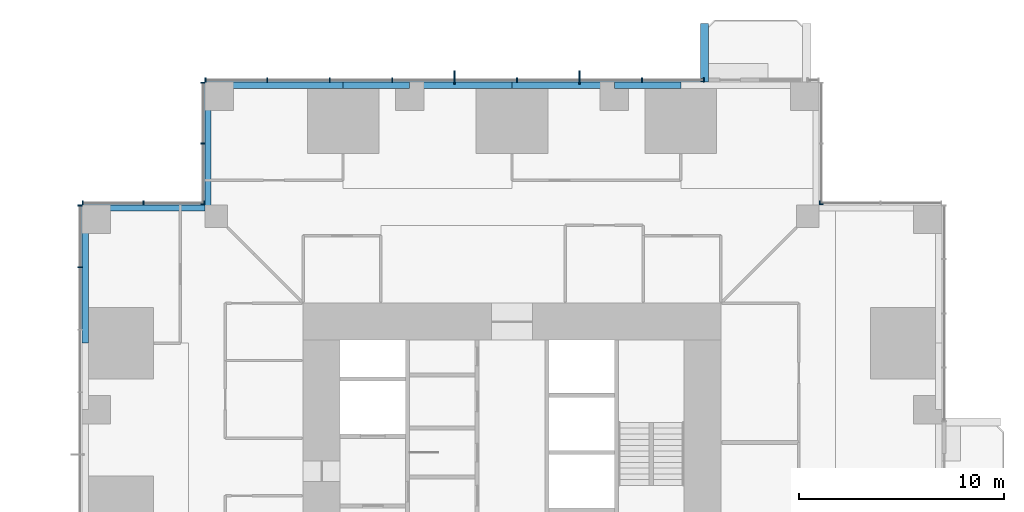
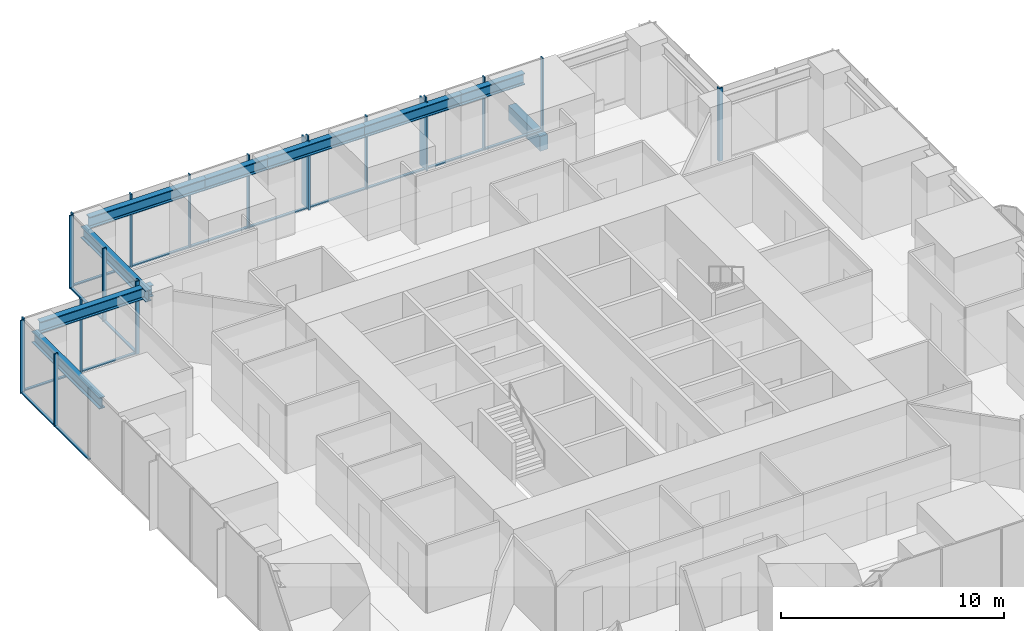
# One storey, part 5 of 17: 35 members, 9 beams, 6 elements without a shape of their own.
"""IFC4 building model written with IfcOpenShell, lengths in metres."""

from ifc_helpers import new_model, si_unit, direction, frame, origin, origin_2d, place, context, subcontext, project, spatial, rectangle, i_section, extrude, material, material_profile, profile_set, type_object, element, aggregate, save


model = new_model("IFC4")

# Units and contexts
model_context = context("Model", 3, precision=1e-05, world=origin(), true_north=direction((0.0, 1.0)))
body_context = subcontext(model_context, "Body", "Model", "MODEL_VIEW")
ifc_project = project(units=[si_unit("LENGTHUNIT", "METRE"), si_unit("AREAUNIT", "SQUARE_METRE"), si_unit("VOLUMEUNIT", "CUBIC_METRE"), si_unit("PLANEANGLEUNIT", "RADIAN"), si_unit("MASSUNIT", "GRAM", prefix="KILO")], contexts=[model_context])

# Site, building, storey
site_placement = place(None, origin())
site = spatial("IfcSite", under=ifc_project, at=site_placement, CompositionType="ELEMENT")
building_placement = place(site_placement, origin())
building = spatial("IfcBuilding", under=site, at=building_placement, Name="Svetlomir Tower", CompositionType="ELEMENT")
storey_placement = place(building_placement, frame((0.0, 0.0, 70.5)))
storey = spatial("IfcBuildingStorey", under=building, at=storey_placement, Name="L16", CompositionType="ELEMENT", Elevation=70.5)

# Beam
ifc_material_1 = material(Name="Concrete C60/75", Category="concrete")
ifc_material_profile_1 = material_profile(ifc_material_1, rectangle(XDim=0.39990234375, YDim=0.800048828125, at=origin_2d()), Name="RC 400x800")
ifc_profile_set_1 = profile_set([ifc_material_profile_1], Name="Concrete C60/75")
beam_type_1 = type_object("IfcBeamType", Name="BALCONY RIB RC 400x800", PredefinedType="BEAM", material=ifc_profile_set_1)
beam_1_placement = place(storey_placement, frame((30.39990234375, 42.0, -0.64990234375), z_axis=(0.0, 1.0, 0.0), x_axis=(-1.0, 0.0, 0.0)))
element("IfcBeam", 1, at=beam_1_placement, inside=storey, type_object=beam_type_1, Name="Balcony rib N 1 L16", PredefinedType="BEAM", context=body_context, shape_type="SweptSolid", body=[
    extrude(rectangle(XDim=0.39990234375, YDim=0.800048828125, at=origin_2d()), origin(), (0.0, 0.0, 1.0), 2.85009765625),
])

# Curtain wall, members
ifc_material_2 = material(Name="Bronze anodised aluminium curtain wall", Category="aluminium")
curtain_wall_type = type_object("IfcCurtainWallType", Name="CURTAIN WALL CW1 TOWER OFFICE", PredefinedType="NOTDEFINED", material=ifc_material_2)
curtain_wall_1_placement = place(storey_placement, origin())
curtain_wall_1 = element("IfcCurtainWall", 2, at=curtain_wall_1_placement, inside=storey, type_object=curtain_wall_type, Name="Curtain wall CW1 L16", PredefinedType="NOTDEFINED")
ifc_material_3 = material(Name="Bronze anodised aluminium", Category="aluminium")
ifc_material_profile_2 = material_profile(ifc_material_3, rectangle(XDim=0.080078125, YDim=0.64990234375, at=origin_2d()), Name="FIN 80x650")
ifc_profile_set_2 = profile_set([ifc_material_profile_2], Name="Bronze anodised aluminium 6063-T6")
member_type_1 = type_object("IfcMemberType", Name="BRONZE FIN 80x650", PredefinedType="USERDEFINED", material=ifc_profile_set_2)
member_1_placement = place(storey_placement, frame((24.300048828125, 42.22509765625, 0.0), z_axis=(0.0, 0.0, 1.0), x_axis=(1.0, 0.0, 0.0)))
member_1 = element("IfcMember", 3, at=member_1_placement, type_object=member_type_1, Name="Bronze fin L16", ObjectType="FIN", PredefinedType="USERDEFINED", context=body_context, shape_type="SweptSolid", body=[
    extrude(rectangle(XDim=0.080078125, YDim=0.64990234375, at=origin_2d()), origin(), (0.0, 0.0, 1.0), 3.75),
])
member_2_placement = place(storey_placement, frame((18.199951171875, 42.22509765625, 0.0), z_axis=(0.0, 0.0, 1.0), x_axis=(1.0, 0.0, 0.0)))
member_2 = element("IfcMember", 4, at=member_2_placement, type_object=member_type_1, Name="Bronze fin L16", ObjectType="FIN", PredefinedType="USERDEFINED", context=body_context, shape_type="SweptSolid", body=[
    extrude(rectangle(XDim=0.080078125, YDim=0.64990234375, at=origin_2d()), origin(), (0.0, 0.0, 1.0), 3.75),
])

# Curtain wall, member
curtain_wall_2_placement = place(storey_placement, origin())
curtain_wall_2 = element("IfcCurtainWall", 5, at=curtain_wall_2_placement, inside=storey, type_object=curtain_wall_type, Name="Curtain wall CW1 L16", PredefinedType="NOTDEFINED")
ifc_material_4 = material(Name="Bronze anodised aluminium", Category="aluminium")
ifc_material_profile_3 = material_profile(ifc_material_4, rectangle(XDim=0.06494140625, YDim=0.199951171875, at=origin_2d()), Name="AL 65x200")
ifc_profile_set_3 = profile_set([ifc_material_profile_3], Name="Bronze anodised aluminium 6063-T6")
member_type_2 = type_object("IfcMemberType", Name="CW1 MULLION 65x200", PredefinedType="MULLION", material=ifc_profile_set_3)
member_3_placement = place(storey_placement, frame((36.032470703125, 36.10009765625, 0.0), z_axis=(0.0, 0.0, 1.0), x_axis=(-1.0, 0.0, 0.0)))
member_3 = element("IfcMember", 6, at=member_3_placement, type_object=member_type_2, Name="CW1 mullion 3", PredefinedType="MULLION", context=body_context, shape_type="SweptSolid", body=[
    extrude(rectangle(XDim=0.06494140625, YDim=0.199951171875, at=origin_2d()), origin(), (0.0, 0.0, 1.0), 4.0),
])
aggregate(curtain_wall_2, [member_3])

curtain_wall_3_placement = place(storey_placement, origin())
curtain_wall_3 = element("IfcCurtainWall", 7, at=curtain_wall_3_placement, inside=storey, type_object=curtain_wall_type, Name="Curtain wall CW1 L16", PredefinedType="NOTDEFINED")
member_4_placement = place(storey_placement, frame((36.10009765625, 36.032470703125, 0.0), z_axis=(0.0, 0.0, 1.0), x_axis=(0.0, 1.0, 0.0)))
member_4 = element("IfcMember", 8, at=member_4_placement, type_object=member_type_2, Name="CW1 mullion 1", PredefinedType="MULLION", context=body_context, shape_type="SweptSolid", body=[
    extrude(rectangle(XDim=0.06494140625, YDim=0.199951171875, at=origin_2d()), origin(), (0.0, 0.0, 1.0), 4.0),
])
aggregate(curtain_wall_3, [member_4])

# Member
member_5_placement = place(storey_placement, frame((30.367431640625, 42.10009765625, 0.0), z_axis=(0.0, 0.0, 1.0), x_axis=(-1.0, 0.0, 0.0)))
member_5 = element("IfcMember", 9, at=member_5_placement, type_object=member_type_2, Name="CW1 mullion 1", PredefinedType="MULLION", context=body_context, shape_type="SweptSolid", body=[
    extrude(rectangle(XDim=0.06494140625, YDim=0.199951171875, at=origin_2d()), origin(), (0.0, 0.0, 1.0), 4.0),
])

member_6_placement = place(storey_placement, frame((27.35009765625, 42.10009765625, 0.0), z_axis=(0.0, 0.0, 1.0), x_axis=(-1.0, 0.0, 0.0)))
member_6 = element("IfcMember", 10, at=member_6_placement, type_object=member_type_2, Name="CW1 mullion 2", PredefinedType="MULLION", context=body_context, shape_type="SweptSolid", body=[
    extrude(rectangle(XDim=0.06494140625, YDim=0.199951171875, at=origin_2d()), origin(), (0.0, 0.0, 1.0), 4.0),
])

member_7_placement = place(storey_placement, frame((24.300048828125, 42.10009765625, 0.0), z_axis=(0.0, 0.0, 1.0), x_axis=(-1.0, 0.0, 0.0)))
member_7 = element("IfcMember", 11, at=member_7_placement, type_object=member_type_2, Name="CW1 mullion 3", PredefinedType="MULLION", context=body_context, shape_type="SweptSolid", body=[
    extrude(rectangle(XDim=0.06494140625, YDim=0.199951171875, at=origin_2d()), origin(), (0.0, 0.0, 1.0), 4.0),
])

member_8_placement = place(storey_placement, frame((21.25, 42.10009765625, 0.0), z_axis=(0.0, 0.0, 1.0), x_axis=(-1.0, 0.0, 0.0)))
member_8 = element("IfcMember", 12, at=member_8_placement, type_object=member_type_2, Name="CW1 mullion 4", PredefinedType="MULLION", context=body_context, shape_type="SweptSolid", body=[
    extrude(rectangle(XDim=0.06494140625, YDim=0.199951171875, at=origin_2d()), origin(), (0.0, 0.0, 1.0), 4.0),
])

member_9_placement = place(storey_placement, frame((18.199951171875, 42.10009765625, 0.0), z_axis=(0.0, 0.0, 1.0), x_axis=(-1.0, 0.0, 0.0)))
member_9 = element("IfcMember", 13, at=member_9_placement, type_object=member_type_2, Name="CW1 mullion 5", PredefinedType="MULLION", context=body_context, shape_type="SweptSolid", body=[
    extrude(rectangle(XDim=0.06494140625, YDim=0.199951171875, at=origin_2d()), origin(), (0.0, 0.0, 1.0), 4.0),
])

member_10_placement = place(storey_placement, frame((15.14990234375, 42.10009765625, 0.0), z_axis=(0.0, 0.0, 1.0), x_axis=(-1.0, 0.0, 0.0)))
member_10 = element("IfcMember", 14, at=member_10_placement, type_object=member_type_2, Name="CW1 mullion 6", PredefinedType="MULLION", context=body_context, shape_type="SweptSolid", body=[
    extrude(rectangle(XDim=0.06494140625, YDim=0.199951171875, at=origin_2d()), origin(), (0.0, 0.0, 1.0), 4.0),
])

member_11_placement = place(storey_placement, frame((12.10009765625, 42.10009765625, 0.0), z_axis=(0.0, 0.0, 1.0), x_axis=(-1.0, 0.0, 0.0)))
member_11 = element("IfcMember", 15, at=member_11_placement, type_object=member_type_2, Name="CW1 mullion 7", PredefinedType="MULLION", context=body_context, shape_type="SweptSolid", body=[
    extrude(rectangle(XDim=0.06494140625, YDim=0.199951171875, at=origin_2d()), origin(), (0.0, 0.0, 1.0), 4.0),
])

member_12_placement = place(storey_placement, frame((9.050048828125, 42.10009765625, 0.0), z_axis=(0.0, 0.0, 1.0), x_axis=(-1.0, 0.0, 0.0)))
member_12 = element("IfcMember", 16, at=member_12_placement, type_object=member_type_2, Name="CW1 mullion 8", PredefinedType="MULLION", context=body_context, shape_type="SweptSolid", body=[
    extrude(rectangle(XDim=0.06494140625, YDim=0.199951171875, at=origin_2d()), origin(), (0.0, 0.0, 1.0), 4.0),
])

member_13_placement = place(storey_placement, frame((6.032470703125, 42.10009765625, 0.0), z_axis=(0.0, 0.0, 1.0), x_axis=(-1.0, 0.0, 0.0)))
member_13 = element("IfcMember", 17, at=member_13_placement, type_object=member_type_2, Name="CW1 mullion 9", PredefinedType="MULLION", context=body_context, shape_type="SweptSolid", body=[
    extrude(rectangle(XDim=0.06494140625, YDim=0.199951171875, at=origin_2d()), origin(), (0.0, 0.0, 1.0), 4.0),
])

# Curtain wall, members
curtain_wall_4_placement = place(storey_placement, origin())
curtain_wall_4 = element("IfcCurtainWall", 18, at=curtain_wall_4_placement, inside=storey, type_object=curtain_wall_type, Name="Curtain wall CW1 L16", PredefinedType="NOTDEFINED")
member_14_placement = place(storey_placement, frame((5.89990234375, 41.967529296875, 0.0), z_axis=(0.0, 0.0, 1.0), x_axis=(0.0, -1.0, 0.0)))
member_14 = element("IfcMember", 19, at=member_14_placement, type_object=member_type_2, Name="CW1 mullion 1", PredefinedType="MULLION", context=body_context, shape_type="SweptSolid", body=[
    extrude(rectangle(XDim=0.06494140625, YDim=0.199951171875, at=origin_2d()), origin(), (0.0, 0.0, 1.0), 4.0),
])
member_15_placement = place(storey_placement, frame((5.89990234375, 39.0, 0.0), z_axis=(0.0, 0.0, 1.0), x_axis=(0.0, -1.0, 0.0)))
member_15 = element("IfcMember", 20, at=member_15_placement, type_object=member_type_2, Name="CW1 mullion 2", PredefinedType="MULLION", context=body_context, shape_type="SweptSolid", body=[
    extrude(rectangle(XDim=0.06494140625, YDim=0.199951171875, at=origin_2d()), origin(), (0.0, 0.0, 1.0), 4.0),
])
member_16_placement = place(storey_placement, frame((5.89990234375, 36.032470703125, 0.0), z_axis=(0.0, 0.0, 1.0), x_axis=(0.0, -1.0, 0.0)))
member_16 = element("IfcMember", 21, at=member_16_placement, type_object=member_type_2, Name="CW1 mullion 3", PredefinedType="MULLION", context=body_context, shape_type="SweptSolid", body=[
    extrude(rectangle(XDim=0.06494140625, YDim=0.199951171875, at=origin_2d()), origin(), (0.0, 0.0, 1.0), 4.0),
])

curtain_wall_5_placement = place(storey_placement, origin())
curtain_wall_5 = element("IfcCurtainWall", 22, at=curtain_wall_5_placement, inside=storey, type_object=curtain_wall_type, Name="Curtain wall CW1 L16", PredefinedType="NOTDEFINED")
member_17_placement = place(storey_placement, frame((5.967529296875, 36.10009765625, 0.0), z_axis=(0.0, 0.0, 1.0), x_axis=(-1.0, 0.0, 0.0)))
member_17 = element("IfcMember", 23, at=member_17_placement, type_object=member_type_2, Name="CW1 mullion 1", PredefinedType="MULLION", context=body_context, shape_type="SweptSolid", body=[
    extrude(rectangle(XDim=0.06494140625, YDim=0.199951171875, at=origin_2d()), origin(), (0.0, 0.0, 1.0), 4.0),
])
member_18_placement = place(storey_placement, frame((3.0, 36.10009765625, 0.0), z_axis=(0.0, 0.0, 1.0), x_axis=(-1.0, 0.0, 0.0)))
member_18 = element("IfcMember", 24, at=member_18_placement, type_object=member_type_2, Name="CW1 mullion 2", PredefinedType="MULLION", context=body_context, shape_type="SweptSolid", body=[
    extrude(rectangle(XDim=0.06494140625, YDim=0.199951171875, at=origin_2d()), origin(), (0.0, 0.0, 1.0), 4.0),
])
member_19_placement = place(storey_placement, frame((0.032470703125, 36.10009765625, 0.0), z_axis=(0.0, 0.0, 1.0), x_axis=(-1.0, 0.0, 0.0)))
member_19 = element("IfcMember", 25, at=member_19_placement, type_object=member_type_2, Name="CW1 mullion 3", PredefinedType="MULLION", context=body_context, shape_type="SweptSolid", body=[
    extrude(rectangle(XDim=0.06494140625, YDim=0.199951171875, at=origin_2d()), origin(), (0.0, 0.0, 1.0), 4.0),
])

curtain_wall_6_placement = place(storey_placement, origin())
curtain_wall_6 = element("IfcCurtainWall", 26, at=curtain_wall_6_placement, inside=storey, type_object=curtain_wall_type, Name="Curtain wall CW1 L16", PredefinedType="NOTDEFINED")
member_20_placement = place(storey_placement, frame((-0.10009765625, 35.967529296875, 0.0), z_axis=(0.0, 0.0, 1.0), x_axis=(0.0, -1.0, 0.0)))
member_20 = element("IfcMember", 27, at=member_20_placement, type_object=member_type_2, Name="CW1 mullion 1", PredefinedType="MULLION", context=body_context, shape_type="SweptSolid", body=[
    extrude(rectangle(XDim=0.06494140625, YDim=0.199951171875, at=origin_2d()), origin(), (0.0, 0.0, 1.0), 4.0),
])
member_21_placement = place(storey_placement, frame((-0.10009765625, 32.949951171875, 0.0), z_axis=(0.0, 0.0, 1.0), x_axis=(0.0, -1.0, 0.0)))
member_21 = element("IfcMember", 28, at=member_21_placement, type_object=member_type_2, Name="CW1 mullion 2", PredefinedType="MULLION", context=body_context, shape_type="SweptSolid", body=[
    extrude(rectangle(XDim=0.06494140625, YDim=0.199951171875, at=origin_2d()), origin(), (0.0, 0.0, 1.0), 4.0),
])

# Member
ifc_material_5 = material(Name="Bronze anodised aluminium", Category="aluminium")
ifc_material_profile_4 = material_profile(ifc_material_5, rectangle(XDim=0.139892578125, YDim=0.06494140625, at=origin_2d()), Name="AL 140x65")
ifc_profile_set_4 = profile_set([ifc_material_profile_4], Name="Bronze anodised aluminium 6063-T6")
member_type_3 = type_object("IfcMemberType", Name="CW1 TRANSOM 65x140", PredefinedType="USERDEFINED", material=ifc_profile_set_4)
member_22_placement = place(storey_placement, frame((30.3349609375, 42.10009765625, 0.032470703125), z_axis=(-1.0, 0.0, 0.0), x_axis=(0.0, -1.0, 0.0)))
member_22 = element("IfcMember", 29, at=member_22_placement, type_object=member_type_3, Name="CW1 transom 1.1", ObjectType="TRANSOM", PredefinedType="USERDEFINED", context=body_context, shape_type="SweptSolid", body=[
    extrude(rectangle(XDim=0.139892578125, YDim=0.06494140625, at=origin_2d()), origin(), (0.0, 0.0, 1.0), 2.952392578125),
])

member_23_placement = place(storey_placement, frame((27.3173828125, 42.10009765625, 0.032470703125), z_axis=(-1.0, 0.0, 0.0), x_axis=(0.0, -1.0, 0.0)))
member_23 = element("IfcMember", 30, at=member_23_placement, type_object=member_type_3, Name="CW1 transom 2.1", ObjectType="TRANSOM", PredefinedType="USERDEFINED", context=body_context, shape_type="SweptSolid", body=[
    extrude(rectangle(XDim=0.139892578125, YDim=0.06494140625, at=origin_2d()), origin(), (0.0, 0.0, 1.0), 2.98486328125),
])

member_24_placement = place(storey_placement, frame((24.267578125, 42.10009765625, 0.032470703125), z_axis=(-1.0, 0.0, 0.0), x_axis=(0.0, -1.0, 0.0)))
member_24 = element("IfcMember", 31, at=member_24_placement, type_object=member_type_3, Name="CW1 transom 3.1", ObjectType="TRANSOM", PredefinedType="USERDEFINED", context=body_context, shape_type="SweptSolid", body=[
    extrude(rectangle(XDim=0.139892578125, YDim=0.06494140625, at=origin_2d()), origin(), (0.0, 0.0, 1.0), 2.985107421875),
])

member_25_placement = place(storey_placement, frame((21.217529296875, 42.10009765625, 0.032470703125), z_axis=(-1.0, 0.0, 0.0), x_axis=(0.0, -1.0, 0.0)))
member_25 = element("IfcMember", 32, at=member_25_placement, type_object=member_type_3, Name="CW1 transom 4.1", ObjectType="TRANSOM", PredefinedType="USERDEFINED", context=body_context, shape_type="SweptSolid", body=[
    extrude(rectangle(XDim=0.139892578125, YDim=0.06494140625, at=origin_2d()), origin(), (0.0, 0.0, 1.0), 2.985107421875),
])

member_26_placement = place(storey_placement, frame((18.16748046875, 42.10009765625, 0.032470703125), z_axis=(-1.0, 0.0, 0.0), x_axis=(0.0, -1.0, 0.0)))
member_26 = element("IfcMember", 33, at=member_26_placement, type_object=member_type_3, Name="CW1 transom 5.1", ObjectType="TRANSOM", PredefinedType="USERDEFINED", context=body_context, shape_type="SweptSolid", body=[
    extrude(rectangle(XDim=0.139892578125, YDim=0.06494140625, at=origin_2d()), origin(), (0.0, 0.0, 1.0), 2.98486328125),
])

member_27_placement = place(storey_placement, frame((15.117431640625, 42.10009765625, 0.032470703125), z_axis=(-1.0, 0.0, 0.0), x_axis=(0.0, -1.0, 0.0)))
member_27 = element("IfcMember", 34, at=member_27_placement, type_object=member_type_3, Name="CW1 transom 6.1", ObjectType="TRANSOM", PredefinedType="USERDEFINED", context=body_context, shape_type="SweptSolid", body=[
    extrude(rectangle(XDim=0.139892578125, YDim=0.06494140625, at=origin_2d()), origin(), (0.0, 0.0, 1.0), 2.98486328125),
])

member_28_placement = place(storey_placement, frame((12.0673828125, 42.10009765625, 0.032470703125), z_axis=(-1.0, 0.0, 0.0), x_axis=(0.0, -1.0, 0.0)))
member_28 = element("IfcMember", 35, at=member_28_placement, type_object=member_type_3, Name="CW1 transom 7.1", ObjectType="TRANSOM", PredefinedType="USERDEFINED", context=body_context, shape_type="SweptSolid", body=[
    extrude(rectangle(XDim=0.139892578125, YDim=0.06494140625, at=origin_2d()), origin(), (0.0, 0.0, 1.0), 2.98486328125),
])

member_29_placement = place(storey_placement, frame((9.017578125, 42.10009765625, 0.032470703125), z_axis=(-1.0, 0.0, 0.0), x_axis=(0.0, -1.0, 0.0)))
member_29 = element("IfcMember", 36, at=member_29_placement, type_object=member_type_3, Name="CW1 transom 8.1", ObjectType="TRANSOM", PredefinedType="USERDEFINED", context=body_context, shape_type="SweptSolid", body=[
    extrude(rectangle(XDim=0.139892578125, YDim=0.06494140625, at=origin_2d()), origin(), (0.0, 0.0, 1.0), 2.95263671875),
])

aggregate(curtain_wall_1, [member_5, member_6, member_7, member_8, member_9, member_10, member_11, member_12, member_13, member_22, member_23, member_24, member_25, member_26, member_27, member_28, member_29, member_1, member_2])

member_30_placement = place(storey_placement, frame((5.89990234375, 41.93505859375, 0.032470703125), z_axis=(0.0, -1.0, 0.0), x_axis=(1.0, 0.0, 0.0)))
member_30 = element("IfcMember", 37, at=member_30_placement, type_object=member_type_3, Name="CW1 transom 1.1", ObjectType="TRANSOM", PredefinedType="USERDEFINED", context=body_context, shape_type="SweptSolid", body=[
    extrude(rectangle(XDim=0.139892578125, YDim=0.06494140625, at=origin_2d()), origin(), (0.0, 0.0, 1.0), 2.902587890625),
])

member_31_placement = place(storey_placement, frame((5.89990234375, 38.967529296875, 0.032470703125), z_axis=(0.0, -1.0, 0.0), x_axis=(1.0, 0.0, 0.0)))
member_31 = element("IfcMember", 38, at=member_31_placement, type_object=member_type_3, Name="CW1 transom 2.1", ObjectType="TRANSOM", PredefinedType="USERDEFINED", context=body_context, shape_type="SweptSolid", body=[
    extrude(rectangle(XDim=0.139892578125, YDim=0.06494140625, at=origin_2d()), origin(), (0.0, 0.0, 1.0), 2.902587890625),
])

aggregate(curtain_wall_4, [member_14, member_15, member_16, member_30, member_31])

member_32_placement = place(storey_placement, frame((5.93505859375, 36.10009765625, 0.032470703125), z_axis=(-1.0, 0.0, 0.0), x_axis=(0.0, -1.0, 0.0)))
member_32 = element("IfcMember", 39, at=member_32_placement, type_object=member_type_3, Name="CW1 transom 1.1", ObjectType="TRANSOM", PredefinedType="USERDEFINED", context=body_context, shape_type="SweptSolid", body=[
    extrude(rectangle(XDim=0.139892578125, YDim=0.06494140625, at=origin_2d()), origin(), (0.0, 0.0, 1.0), 2.902587890625),
])

member_33_placement = place(storey_placement, frame((2.967529296875, 36.10009765625, 0.032470703125), z_axis=(-1.0, 0.0, 0.0), x_axis=(0.0, -1.0, 0.0)))
member_33 = element("IfcMember", 40, at=member_33_placement, type_object=member_type_3, Name="CW1 transom 2.1", ObjectType="TRANSOM", PredefinedType="USERDEFINED", context=body_context, shape_type="SweptSolid", body=[
    extrude(rectangle(XDim=0.139892578125, YDim=0.06494140625, at=origin_2d()), origin(), (0.0, 0.0, 1.0), 2.902587890625),
])

aggregate(curtain_wall_5, [member_17, member_18, member_19, member_32, member_33])

member_34_placement = place(storey_placement, frame((-0.10009765625, 35.93505859375, 0.032470703125), z_axis=(0.0, -1.0, 0.0), x_axis=(1.0, 0.0, 0.0)))
member_34 = element("IfcMember", 41, at=member_34_placement, type_object=member_type_3, Name="CW1 transom 1.1", ObjectType="TRANSOM", PredefinedType="USERDEFINED", context=body_context, shape_type="SweptSolid", body=[
    extrude(rectangle(XDim=0.139892578125, YDim=0.06494140625, at=origin_2d()), origin(), (0.0, 0.0, 1.0), 2.95263671875),
])

member_35_placement = place(storey_placement, frame((-0.10009765625, 32.91748046875, 0.032470703125), z_axis=(0.0, -1.0, 0.0), x_axis=(1.0, 0.0, 0.0)))
member_35 = element("IfcMember", 42, at=member_35_placement, type_object=member_type_3, Name="CW1 transom 2.1", ObjectType="TRANSOM", PredefinedType="USERDEFINED", context=body_context, shape_type="SweptSolid", body=[
    extrude(rectangle(XDim=0.139892578125, YDim=0.06494140625, at=origin_2d()), origin(), (0.0, 0.0, 1.0), 2.98486328125),
])

aggregate(curtain_wall_6, [member_20, member_21, member_34, member_35])

# Beams
ifc_material_6 = material(Name="Steel S355", Category="steel")
ifc_material_profile_5 = material_profile(ifc_material_6, i_section(OverallWidth=0.304931640625, OverallDepth=0.6201171875, WebThickness=0.02099609375, FlangeThickness=0.0400390625, FilletRadius=0.027099609375, at=origin_2d()), Name="HEM 600")
ifc_profile_set_5 = profile_set([ifc_material_profile_5], Name="Steel S355")
beam_type_2 = type_object("IfcBeamType", Name="EDGE BEAM HEM 600", PredefinedType="SPANDREL", material=ifc_profile_set_5)
beam_2_placement = place(storey_placement, frame((6.699951171875, 41.847412109375, 3.43994140625), z_axis=(1.0, 0.0, 0.0), x_axis=(0.0, 1.0, 0.0)))
element("IfcBeam", 43, at=beam_2_placement, inside=storey, type_object=beam_type_2, Name="Edge beam 6/42 to 11/42 under L17", PredefinedType="SPANDREL", context=body_context, shape_type="SweptSolid", body=[
    extrude(i_section(OverallWidth=0.304931640625, OverallDepth=0.6201171875, WebThickness=0.02099609375, FlangeThickness=0.0400390625, FilletRadius=0.027099609375, at=origin_2d()), origin(), (0.0, 0.0, 1.0), 6.050048828125),
])
beam_3_placement = place(storey_placement, frame((12.75, 41.847412109375, 3.43994140625), z_axis=(1.0, 0.0, 0.0), x_axis=(0.0, 1.0, 0.0)))
element("IfcBeam", 44, at=beam_3_placement, inside=storey, type_object=beam_type_2, Name="Edge beam 11/42 to 16/42 under L17", PredefinedType="SPANDREL", context=body_context, shape_type="SweptSolid", body=[
    extrude(i_section(OverallWidth=0.304931640625, OverallDepth=0.6201171875, WebThickness=0.02099609375, FlangeThickness=0.0400390625, FilletRadius=0.027099609375, at=origin_2d()), origin(), (0.0, 0.0, 1.0), 3.25),
])
for number, where, z_axis, x_axis, name in (
    (45, (16.0, 41.847412109375, 3.43994140625), (1.0, 0.0, 0.0), (0.0, 1.0, 0.0), "Edge beam 16/42 to 21/42 under L17"),
    (46, (21.0, 41.847412109375, 3.43994140625), (1.0, 0.0, 0.0), (0.0, 1.0, 0.0), "Edge beam 21/42 to 26/42 under L17"),
):
    element("IfcBeam", number, at=place(storey_placement, frame(where, z_axis=z_axis, x_axis=x_axis)), inside=storey, type_object=beam_type_2, Name=name, PredefinedType="SPANDREL", context=body_context, shape_type="SweptSolid", body=[
        extrude(i_section(OverallWidth=0.304931640625, OverallDepth=0.6201171875, WebThickness=0.02099609375, FlangeThickness=0.0400390625, FilletRadius=0.027099609375, at=origin_2d()), origin(), (0.0, 0.0, 1.0), 5.0),
    ])
beam_4_placement = place(storey_placement, frame((26.0, 41.847412109375, 3.43994140625), z_axis=(1.0, 0.0, 0.0), x_axis=(0.0, 1.0, 0.0)))
element("IfcBeam", 47, at=beam_4_placement, inside=storey, type_object=beam_type_2, Name="Edge beam 26/42 to 31/42 under L17", PredefinedType="SPANDREL", context=body_context, shape_type="SweptSolid", body=[
    extrude(i_section(OverallWidth=0.304931640625, OverallDepth=0.6201171875, WebThickness=0.02099609375, FlangeThickness=0.0400390625, FilletRadius=0.027099609375, at=origin_2d()), origin(), (0.0, 0.0, 1.0), 3.25),
])
beam_5_placement = place(storey_placement, frame((0.152587890625, 29.25, 3.43994140625), z_axis=(0.0, 1.0, 0.0), x_axis=(-1.0, 0.0, 0.0)))
element("IfcBeam", 48, at=beam_5_placement, inside=storey, type_object=beam_type_2, Name="Edge beam 0/31 to 0/36 under L17", PredefinedType="SPANDREL", context=body_context, shape_type="SweptSolid", body=[
    extrude(i_section(OverallWidth=0.304931640625, OverallDepth=0.6201171875, WebThickness=0.02099609375, FlangeThickness=0.0400390625, FilletRadius=0.027099609375, at=origin_2d()), origin(), (0.0, 0.0, 1.0), 6.050048828125),
])
for number, where, z_axis, x_axis, name in (
    (49, (6.152587890625, 41.300048828125, 3.43994140625), (0.0, -1.0, 0.0), (1.0, 0.0, 0.0), "Edge beam 6/42 to 6/36 under L17"),
    (50, (0.699951171875, 35.847412109375, 3.43994140625), (1.0, 0.0, 0.0), (0.0, 1.0, 0.0), "Edge beam 0/36 to 6/36 under L17"),
):
    element("IfcBeam", number, at=place(storey_placement, frame(where, z_axis=z_axis, x_axis=x_axis)), inside=storey, type_object=beam_type_2, Name=name, PredefinedType="SPANDREL", context=body_context, shape_type="SweptSolid", body=[
        extrude(i_section(OverallWidth=0.304931640625, OverallDepth=0.6201171875, WebThickness=0.02099609375, FlangeThickness=0.0400390625, FilletRadius=0.027099609375, at=origin_2d()), origin(), (0.0, 0.0, 1.0), 5.85009765625),
    ])

save(model, "model.ifc")
